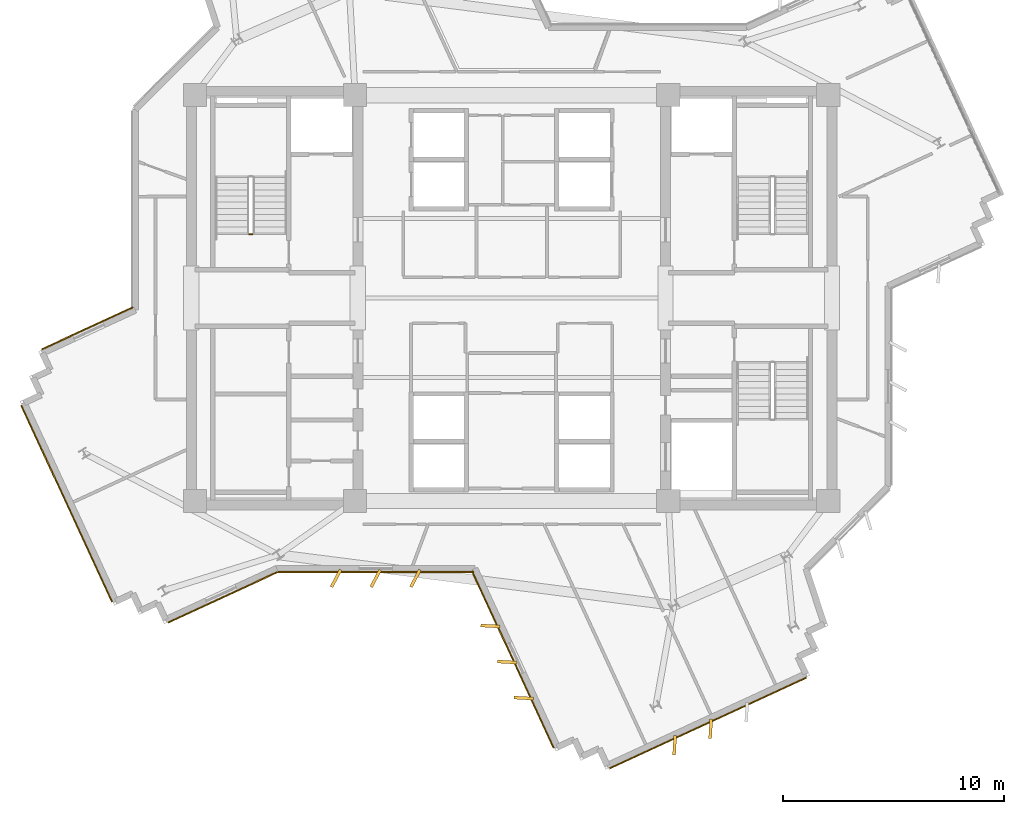
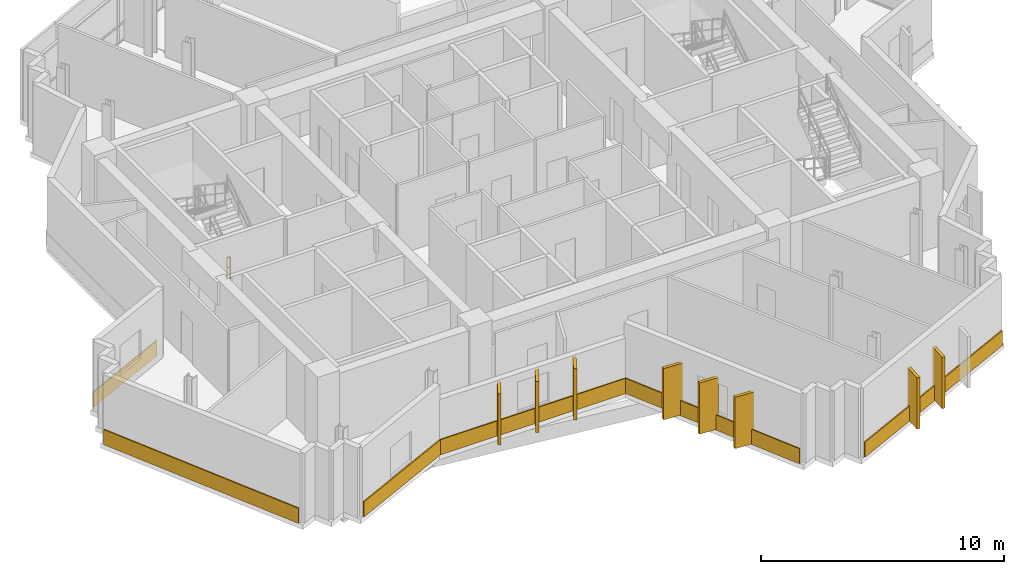
# One storey, part 10 of 12: 14 coverings, 1 railing.
"""IFC4 building model written with IfcOpenShell, lengths in metres."""

from ifc_helpers import new_model, si_unit, direction, frame, origin, origin_2d, place, context, subcontext, project, spatial, rectangle, extrude, source, transform, mapped, material, layer, layer_set, type_object, element, save


model = new_model("IFC4")

# Units and contexts
model_context = context("Model", 3, precision=1e-05, world=origin(), true_north=direction((0.0, 1.0)))
body_context = subcontext(model_context, "Body", "Model", "MODEL_VIEW")
ifc_project = project(units=[si_unit("LENGTHUNIT", "METRE"), si_unit("AREAUNIT", "SQUARE_METRE"), si_unit("VOLUMEUNIT", "CUBIC_METRE"), si_unit("PLANEANGLEUNIT", "RADIAN"), si_unit("MASSUNIT", "GRAM", prefix="KILO")], contexts=[model_context])

# Site, building, storey
site_placement = place(None, origin())
site = spatial("IfcSite", under=ifc_project, at=site_placement, CompositionType="ELEMENT")
building_placement = place(site_placement, origin())
building = spatial("IfcBuilding", under=site, at=building_placement, Name="Zahravan Cultural Tower", CompositionType="ELEMENT")
storey_placement = place(building_placement, frame((0.0, 0.0, 239.10009765625)))
storey = spatial("IfcBuildingStorey", under=building, at=storey_placement, Name="L56", CompositionType="ELEMENT", Elevation=239.10009765625)

# Railing
ifc_material_1 = material(Name="Steel ASTM A572 Grade 50", Category="steel")
railing_type = type_object("IfcRailingType", Name="RL-STAIR-GRD1150", PredefinedType="BALUSTRADE", material=ifc_material_1)
railing_placement = place(storey_placement, frame((24.25, 29.89990234375, 0.0)))
element("IfcRailing", 1, at=railing_placement, inside=storey, type_object=railing_type, Name="L56 ST-W1 stair guard 4", PredefinedType="BALUSTRADE", context=body_context, shape_type="SweptSolid", body=[
    extrude(rectangle(XDim=0.05, YDim=0.05, at=origin_2d()), frame((0.0, 0.0, 1.0751953125), z_axis=(-1.0, 0.0, 0.0), x_axis=(0.0, -1.0, 0.0)), (0.0, 0.0, 1.0), 0.14990234375),
    extrude(rectangle(XDim=0.032, YDim=0.032, at=origin_2d()), frame((0.0, 0.0, 0.572021484375), z_axis=(-1.0, 0.0, 0.0), x_axis=(0.0, -1.0, 0.0)), (0.0, 0.0, 1.0), 0.14990234375),
    extrude(rectangle(XDim=0.04, YDim=0.04, at=origin_2d()), origin(), (0.0, 0.0, 1.0), 1.10009765625),
    extrude(rectangle(XDim=0.04, YDim=0.04, at=origin_2d()), frame((-0.14990234375, 0.0, 0.0)), (0.0, 0.0, 1.0), 1.10009765625),
])

# Coverings
ifc_material_2 = material(Name="Terracotta ceramic cladding", Category="masonry")
ifc_layer = layer(ifc_material_2, 0.06005859375)
ifc_layer_set = layer_set([ifc_layer], Name="Terracotta ceramic cladding")
covering_type = type_object("IfcCoveringType", Name="COV-CLAD-TC60", PredefinedType="CLADDING", material=ifc_layer_set)
shared_shape_1 = source(origin(), body_context, "Body", "SweptSolid", [
    extrude(rectangle(XDim=9.820068359375, YDim=0.06005859375, at=origin_2d()), origin(), (0.0, 0.0, 1.0), 0.760009765625),
])
for number, where, z_axis, x_axis, name in (
    (2, (44.90283203125, 7.732421875, 0.02001953125), (0.0, 0.0, 1.0), (-0.907777478533, -0.419452082446, 0.0), "L56 Terracotta Spandrel Cladding 18"),
    (3, (15.82470703125, 17.677490234375, 0.02001953125), (0.0, 0.0, 1.0), (-0.419452082446, 0.907777478533, 0.0), "L56 Terracotta Spandrel Cladding 30"),
):
    element("IfcCovering", number, at=place(storey_placement, frame(where, z_axis=z_axis, x_axis=x_axis)), inside=storey, type_object=covering_type, Name=name, PredefinedType="CLADDING", context=body_context, shape_type="MappedRepresentation", body=[
        mapped(shared_shape_1, transform((0.0, 0.0, 0.0), x_axis=(1.0, 0.0, 0.0), y_axis=(0.0, 1.0, 0.0), z_axis=(0.0, 0.0, 1.0), scale=1.0)),
    ])
shared_shape_2 = source(origin(), body_context, "Body", "SweptSolid", [
    extrude(rectangle(XDim=4.544189453125, YDim=0.06005859375, at=origin_2d()), origin(), (0.0, 0.0, 1.0), 0.760009765625),
])
covering_1_placement = place(storey_placement, frame((16.7626953125, 25.62939453125, 0.02001953125), z_axis=(0.0, 0.0, 1.0), x_axis=(0.907770157575, 0.419467926088, 0.0)))
element("IfcCovering", 4, at=covering_1_placement, inside=storey, type_object=covering_type, Name="L56 Terracotta Spandrel Cladding 35", PredefinedType="CLADDING", context=body_context, shape_type="MappedRepresentation", body=[
    mapped(shared_shape_2, transform((0.0, 0.0, 0.0), x_axis=(1.0, 0.0, 0.0), y_axis=(0.0, 1.0, 0.0), z_axis=(0.0, 0.0, 1.0), scale=1.0)),
])
shared_shape_3 = source(origin(), body_context, "Body", "SweptSolid", [
    extrude(rectangle(XDim=5.445068359375, YDim=0.06005859375, at=origin_2d()), origin(), (0.0, 0.0, 1.0), 0.760009765625),
])
covering_2_placement = place(storey_placement, frame((22.897216796875, 13.42724609375, 0.02001953125), z_axis=(0.0, 0.0, 1.0), x_axis=(-0.907777478533, -0.419452082446, 0.0)))
element("IfcCovering", 5, at=covering_2_placement, inside=storey, type_object=covering_type, Name="L56 Terracotta Spandrel Cladding 25", PredefinedType="CLADDING", context=body_context, shape_type="MappedRepresentation", body=[
    mapped(shared_shape_3, transform((0.0, 0.0, 0.0), x_axis=(1.0, 0.0, 0.0), y_axis=(0.0, 1.0, 0.0), z_axis=(0.0, 0.0, 1.0), scale=1.0)),
])
shared_shape_4 = source(origin(), body_context, "Body", "SweptSolid", [
    extrude(rectangle(XDim=0.8798828125, YDim=0.139892578125, at=origin_2d()), origin(), (0.0, 0.0, 1.0), 2.580078125),
])
for number, where, z_axis, x_axis, name in (
    (6, (45.0224609375, 7.4736328125, 0.0498046875), (0.0, 0.0, 1.0), (-0.055821504993, -0.998440764182, 0.0), "L56 Herringbone Terracotta Fin 10"),
    (7, (43.388427734375, 6.71875, 0.0498046875), (0.0, 0.0, 1.0), (-0.055821504993, -0.998440764182, 0.0), "L56 Herringbone Terracotta Fin 11"),
    (8, (36.548095703125, 8.86328125, 0.0498046875), (0.0, 0.0, 1.0), (-0.998440764182, 0.055821504993, 0.0), "L56 Herringbone Terracotta Fin 12"),
    (9, (35.793212890625, 10.497314453125, 0.0498046875), (0.0, 0.0, 1.0), (-0.998440764182, 0.055821504993, 0.0), "L56 Herringbone Terracotta Fin 13"),
    (10, (35.0380859375, 12.131103515625, 0.0498046875), (0.0, 0.0, 1.0), (-0.998440764182, 0.055821504993, 0.0), "L56 Herringbone Terracotta Fin 14"),
    (11, (31.636474609375, 14.2900390625, 0.0498046875), (0.0, 0.0, 1.0), (-0.469471562786, -0.882947592859, 0.0), "L56 Herringbone Terracotta Fin 15"),
    (12, (29.83642578125, 14.2900390625, 0.0498046875), (0.0, 0.0, 1.0), (-0.469471562786, -0.882947592859, 0.0), "L56 Herringbone Terracotta Fin 16"),
    (13, (28.03662109375, 14.2900390625, 0.0498046875), (0.0, 0.0, 1.0), (-0.469471562786, -0.882947592859, 0.0), "L56 Herringbone Terracotta Fin 17"),
):
    element("IfcCovering", number, at=place(storey_placement, frame(where, z_axis=z_axis, x_axis=x_axis)), inside=storey, type_object=covering_type, Name=name, PredefinedType="CLADDING", context=body_context, shape_type="MappedRepresentation", body=[
        mapped(shared_shape_4, transform((0.0, 0.0, 0.0), x_axis=(1.0, 0.0, 0.0), y_axis=(0.0, 1.0, 0.0), z_axis=(0.0, 0.0, 1.0), scale=1.0)),
    ])
shared_shape_5 = source(origin(), body_context, "Body", "SweptSolid", [
    extrude(rectangle(XDim=8.831787109375, YDim=0.06005859375, at=origin_2d()), origin(), (0.0, 0.0, 1.0), 0.760009765625),
])
covering_3_placement = place(storey_placement, frame((36.0517578125, 10.61669921875, 0.02001953125), z_axis=(0.0, 0.0, 1.0), x_axis=(-0.419452082446, 0.907777478533, 0.0)))
element("IfcCovering", 14, at=covering_3_placement, inside=storey, type_object=covering_type, Name="L56 Terracotta Spandrel Cladding 23", PredefinedType="CLADDING", context=body_context, shape_type="MappedRepresentation", body=[
    mapped(shared_shape_5, transform((0.0, 0.0, 0.0), x_axis=(1.0, 0.0, 0.0), y_axis=(0.0, 1.0, 0.0), z_axis=(0.0, 0.0, 1.0), scale=1.0)),
])
shared_shape_6 = source(origin(), body_context, "Body", "SweptSolid", [
    extrude(rectangle(XDim=8.883544921875, YDim=0.06005859375, at=origin_2d()), origin(), (0.0, 0.0, 1.0), 0.760009765625),
])
covering_4_placement = place(storey_placement, frame((29.83642578125, 14.574951171875, 0.02001953125), z_axis=(0.0, 0.0, 1.0), x_axis=(-1.0, 0.0, 0.0)))
element("IfcCovering", 15, at=covering_4_placement, inside=storey, type_object=covering_type, Name="L56 Terracotta Spandrel Cladding 24", PredefinedType="CLADDING", context=body_context, shape_type="MappedRepresentation", body=[
    mapped(shared_shape_6, transform((0.0, 0.0, 0.0), x_axis=(1.0, 0.0, 0.0), y_axis=(0.0, 1.0, 0.0), z_axis=(0.0, 0.0, 1.0), scale=1.0)),
])

save(model, "model.ifc")
